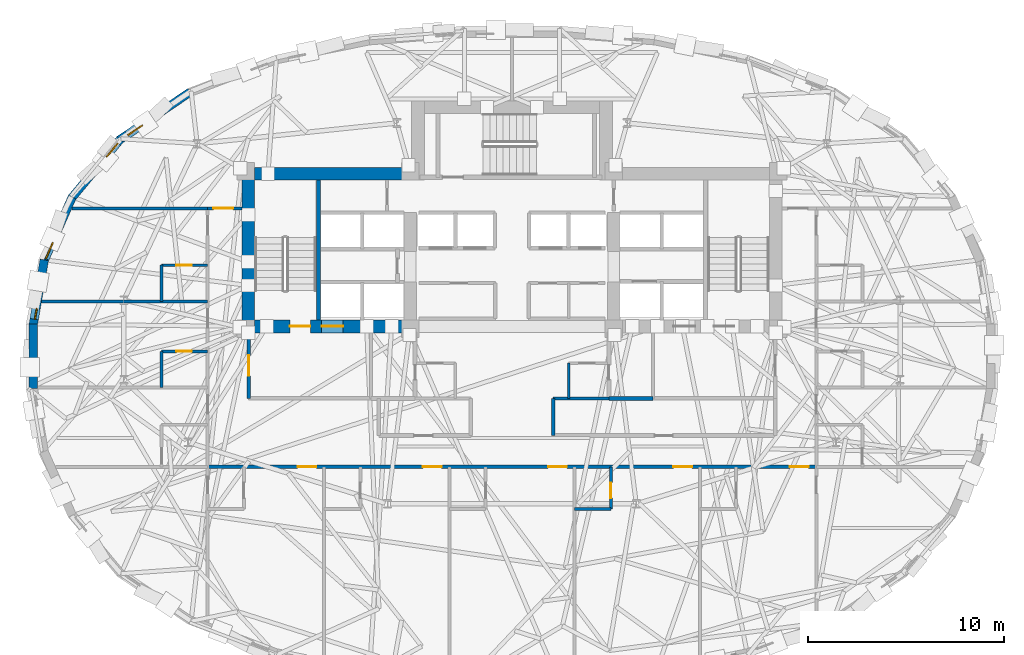
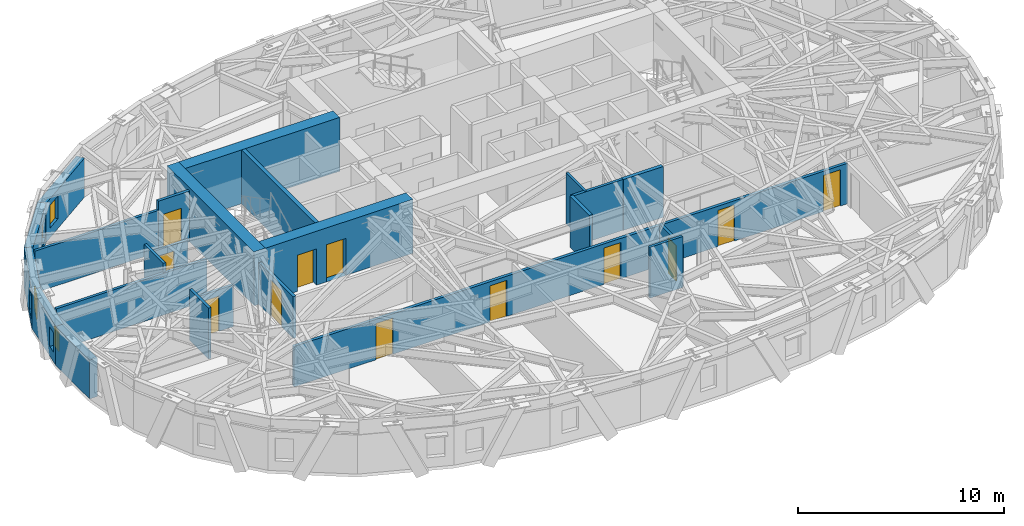
# One storey, part 7 of 15: 24 walls, 12 doors, 4 windows, 16 openings.
"""IFC4 building model written with IfcOpenShell, lengths in metres."""

from ifc_helpers import new_model, si_unit, direction, frame, frame_2d, origin, place, context, subcontext, project, spatial, rectangle, extrude, material, layer, layer_set, type_object, element, fill, save


model = new_model("IFC4")

# Units and contexts
model_context = context("Model", 3, precision=1e-05, world=origin(), true_north=direction((0.0, 1.0)))
body_context = subcontext(model_context, "Body", "Model", "MODEL_VIEW")
ifc_project = project(units=[si_unit("LENGTHUNIT", "METRE"), si_unit("AREAUNIT", "SQUARE_METRE"), si_unit("VOLUMEUNIT", "CUBIC_METRE"), si_unit("PLANEANGLEUNIT", "RADIAN"), si_unit("MASSUNIT", "GRAM", prefix="KILO")], contexts=[model_context])

# Site, building, storey
site_placement = place(None, origin())
site = spatial("IfcSite", under=ifc_project, at=site_placement, CompositionType="ELEMENT")
building_placement = place(site_placement, origin())
building = spatial("IfcBuilding", under=site, at=building_placement, Name="Keldmark Tower", CompositionType="ELEMENT")
storey_placement = place(building_placement, frame((0.0, 0.0, 150.199951171875)))
storey = spatial("IfcBuildingStorey", under=building, at=storey_placement, Name="L40", CompositionType="ELEMENT", Elevation=150.199951171875)

# Walls
ifc_material_1 = material(Name="Heavy Acoustic Plumbing Chase Gypsum Assembly", Category="gypsum")
ifc_layer_1 = layer(ifc_material_1, 0.18994140625)
ifc_layer_set_1 = layer_set([ifc_layer_1], Name="Heavy Acoustic Plumbing Chase Gypsum Assembly")
wall_type_1 = type_object("IfcWallType", Name="Heavy Wet Wall 190 mm", PredefinedType="PLUMBINGWALL", material=ifc_layer_set_1)
wall_1_placement = place(storey_placement, frame((2.10009765625, -4.050048828125, 0.0), z_axis=(0.0, 0.0, 1.0), x_axis=(0.0, 1.0, 0.0)))
element("IfcWall", 1, at=wall_1_placement, inside=storey, type_object=wall_type_1, Name="L40 Heavy Wet Wall 190 mm SPK-E-W", PredefinedType="PLUMBINGWALL", context=body_context, shape_type="SweptSolid", body=[
    extrude(rectangle(XDim=1.900146484375, YDim=0.18994140625, at=frame_2d((0.9501953125, 0.0))), origin(), (0.0, 0.0, 1.0), 3.02001953125),
])
ifc_material_2 = material(Name="Acoustic Gypsum Board Interior Partition", Category="gypsum")
ifc_layer_2 = layer(ifc_material_2, 0.1298828125)
ifc_layer_set_2 = layer_set([ifc_layer_2], Name="Acoustic Gypsum Board Interior Partition")
wall_type_2 = type_object("IfcWallType", Name="Interior Partition 130 mm", PredefinedType="PARTITIONING", material=ifc_layer_set_2)
wall_2_placement = place(storey_placement, frame((2.889892578125, -2.14990234375, 0.0), z_axis=(0.0, 0.0, 1.0), x_axis=(0.0, 1.0, 0.0)))
element("IfcWall", 2, at=wall_2_placement, inside=storey, type_object=wall_type_2, Name="L40 Interior Partition 130 mm CSC-E-W", PredefinedType="PARTITIONING", context=body_context, shape_type="SweptSolid", body=[
    extrude(rectangle(XDim=1.7998046875, YDim=0.1298828125, at=frame_2d((0.89990234375, 0.0))), origin(), (0.0, 0.0, 1.0), 3.02001953125),
])

# Wall, opening, door
ifc_material_3 = material(Name="Type X Fire-Rated Gypsum Partition Assembly", Category="gypsum")
ifc_layer_3 = layer(ifc_material_3, 0.1650390625)
ifc_layer_set_3 = layer_set([ifc_layer_3], Name="Type X Fire-Rated Gypsum Partition Assembly")
wall_type_3 = type_object("IfcWallType", Name="Rated Partition 165 mm", PredefinedType="PARTITIONING", material=ifc_layer_set_3)
wall_3_placement = place(storey_placement, frame((-13.449951171875, -2.14990234375, 0.0), z_axis=(0.0, 0.0, 1.0), x_axis=(0.0, 1.0, 0.0)))
wall_3 = element("IfcWall", 3, at=wall_3_placement, inside=storey, type_object=wall_type_3, Name="L40 Rated Partition 165 mm FSAE-W-W", PredefinedType="PARTITIONING", context=body_context, shape_type="SweptSolid", body=[
    extrude(rectangle(XDim=3.39990234375, YDim=0.1650390625, at=frame_2d((1.699951171875, 0.0))), origin(), (0.0, 0.0, 1.0), 2.47314453125),
])
opening_1_placement = place(wall_3_placement, frame((1.14990234375, 0.0, 0.0)))
opening_1 = element("IfcOpeningElement", 4, at=opening_1_placement, cuts=wall_3, Name="Opening D-FL105", PredefinedType="OPENING", context=body_context, shape_type="SweptSolid", body=[
    extrude(rectangle(XDim=1.050048828125, YDim=2.14990234375, at=frame_2d((0.52490234375, 1.074951171875))), frame((0.0, 0.092529296875, 0.0), z_axis=(0.0, -1.0, 0.0), x_axis=(1.0, 0.0, 0.0)), (0.0, 0.0, 1.0), 0.18505859375),
])
ifc_material_4 = material(Name="Fire-Rated Mineral-Core Door and Vision Lite", Category="metal")
door_type_1 = type_object("IfcDoorType", Name="Fire Lobby Door 1050x2150", OperationType="NOTDEFINED", PredefinedType="DOOR", material=ifc_material_4)
door_1_placement = place(opening_1_placement, origin())
door_1 = element("IfcDoor", 5, at=door_1_placement, inside=storey, type_object=door_type_1, Name="L40 Fire Lobby Door 1050x2150 D-FSAEW-OUT-L40", OperationType="SINGLE_SWING_LEFT", OverallHeight=2.14990234375, OverallWidth=1.050048828125, PredefinedType="DOOR", context=body_context, shape_type="SweptSolid", body=[
    extrude(rectangle(XDim=1.050048828125, YDim=2.14990234375, at=frame_2d((0.52490234375, 1.074951171875))), frame((0.0, 0.02490234375, 0.0), z_axis=(0.0, -1.0, 0.0), x_axis=(1.0, 0.0, 0.0)), (0.0, 0.0, 1.0), 0.050048828125),
])
fill(opening_1, door_1)

# Wall, openings, doors
wall_4_placement = place(storey_placement, frame((-15.550048828125, -5.64990234375, 0.0), z_axis=(0.0, 0.0, 1.0), x_axis=(1.0, 0.0, 0.0)))
wall_4 = element("IfcWall", 6, at=wall_4_placement, inside=storey, type_object=wall_type_3, Name="L40 Rated Partition 165 mm HCOR-S", PredefinedType="PARTITIONING", context=body_context, shape_type="SweptSolid", body=[
    extrude(rectangle(XDim=31.10009765625, YDim=0.1650390625, at=frame_2d((15.550048828125, 0.0))), origin(), (0.0, 0.0, 1.0), 2.39794921875),
])
opening_2_placement = place(wall_4_placement, frame((4.60009765625, 0.0, 0.0)))
opening_2 = element("IfcOpeningElement", 7, at=opening_2_placement, cuts=wall_4, Name="Opening D-HT095", PredefinedType="OPENING", context=body_context, shape_type="SweptSolid", body=[
    extrude(rectangle(XDim=0.949951171875, YDim=2.14990234375, at=frame_2d((0.47509765625, 1.074951171875))), frame((0.0, 0.092529296875, 0.0), z_axis=(0.0, -1.0, 0.0), x_axis=(1.0, 0.0, 0.0)), (0.0, 0.0, 1.0), 0.18505859375),
])
opening_3_placement = place(wall_4_placement, frame((11.0, 0.0, 0.0)))
opening_3 = element("IfcOpeningElement", 8, at=opening_3_placement, cuts=wall_4, Name="Opening D-HT095", PredefinedType="OPENING", context=body_context, shape_type="SweptSolid", body=[
    extrude(rectangle(XDim=0.949951171875, YDim=2.14990234375, at=frame_2d((0.47509765625, 1.074951171875))), frame((0.0, 0.092529296875, 0.0), z_axis=(0.0, -1.0, 0.0), x_axis=(1.0, 0.0, 0.0)), (0.0, 0.0, 1.0), 0.18505859375),
])
opening_4_placement = place(wall_4_placement, frame((17.39990234375, 0.0, 0.0)))
opening_4 = element("IfcOpeningElement", 9, at=opening_4_placement, cuts=wall_4, Name="Opening D-HT095", PredefinedType="OPENING", context=body_context, shape_type="SweptSolid", body=[
    extrude(rectangle(XDim=0.949951171875, YDim=2.14990234375, at=frame_2d((0.47509765625, 1.074951171875))), frame((0.0, 0.092529296875, 0.0), z_axis=(0.0, -1.0, 0.0), x_axis=(1.0, 0.0, 0.0)), (0.0, 0.0, 1.0), 0.18505859375),
])
opening_5_placement = place(wall_4_placement, frame((23.800048828125, 0.0, 0.0)))
opening_5 = element("IfcOpeningElement", 10, at=opening_5_placement, cuts=wall_4, Name="Opening D-HT095", PredefinedType="OPENING", context=body_context, shape_type="SweptSolid", body=[
    extrude(rectangle(XDim=0.949951171875, YDim=2.14990234375, at=frame_2d((0.47509765625, 1.074951171875))), frame((0.0, 0.092529296875, 0.0), z_axis=(0.0, -1.0, 0.0), x_axis=(1.0, 0.0, 0.0)), (0.0, 0.0, 1.0), 0.18505859375),
])
opening_6_placement = place(wall_4_placement, frame((29.75, 0.0, 0.0)))
opening_6 = element("IfcOpeningElement", 11, at=opening_6_placement, cuts=wall_4, Name="Opening D-HT095", PredefinedType="OPENING", context=body_context, shape_type="SweptSolid", body=[
    extrude(rectangle(XDim=0.949951171875, YDim=2.14990234375, at=frame_2d((0.47509765625, 1.074951171875))), frame((0.0, 0.092529296875, 0.0), z_axis=(0.0, -1.0, 0.0), x_axis=(1.0, 0.0, 0.0)), (0.0, 0.0, 1.0), 0.18505859375),
])
ifc_material_5 = material(Name="Solid-Core Acoustic White Oak Fire-Rated Assembly", Category="wood")
door_type_2 = type_object("IfcDoorType", Name="Hotel Entry Door 950x2150", OperationType="NOTDEFINED", PredefinedType="DOOR", material=ifc_material_5)
door_2_placement = place(opening_2_placement, origin())
door_2 = element("IfcDoor", 12, at=door_2_placement, inside=storey, type_object=door_type_2, Name="L40 Hotel Entry Door 950x2150 D-HRS1-L40", OperationType="SINGLE_SWING_RIGHT", OverallHeight=2.14990234375, OverallWidth=0.949951171875, PredefinedType="DOOR", context=body_context, shape_type="SweptSolid", body=[
    extrude(rectangle(XDim=0.949951171875, YDim=2.14990234375, at=frame_2d((0.47509765625, 1.074951171875))), frame((0.0, 0.02490234375, 0.0), z_axis=(0.0, -1.0, 0.0), x_axis=(1.0, 0.0, 0.0)), (0.0, 0.0, 1.0), 0.050048828125),
])
fill(opening_2, door_2)
door_3_placement = place(opening_3_placement, origin())
door_3 = element("IfcDoor", 13, at=door_3_placement, inside=storey, type_object=door_type_2, Name="L40 Hotel Entry Door 950x2150 D-HRS2-L40", OperationType="SINGLE_SWING_LEFT", OverallHeight=2.14990234375, OverallWidth=0.949951171875, PredefinedType="DOOR", context=body_context, shape_type="SweptSolid", body=[
    extrude(rectangle(XDim=0.949951171875, YDim=2.14990234375, at=frame_2d((0.47509765625, 1.074951171875))), frame((0.0, 0.02490234375, 0.0), z_axis=(0.0, -1.0, 0.0), x_axis=(1.0, 0.0, 0.0)), (0.0, 0.0, 1.0), 0.050048828125),
])
fill(opening_3, door_3)
door_4_placement = place(opening_4_placement, origin())
door_4 = element("IfcDoor", 14, at=door_4_placement, inside=storey, type_object=door_type_2, Name="L40 Hotel Entry Door 950x2150 D-HRS3-L40", OperationType="SINGLE_SWING_RIGHT", OverallHeight=2.14990234375, OverallWidth=0.949951171875, PredefinedType="DOOR", context=body_context, shape_type="SweptSolid", body=[
    extrude(rectangle(XDim=0.949951171875, YDim=2.14990234375, at=frame_2d((0.47509765625, 1.074951171875))), frame((0.0, 0.02490234375, 0.0), z_axis=(0.0, -1.0, 0.0), x_axis=(1.0, 0.0, 0.0)), (0.0, 0.0, 1.0), 0.050048828125),
])
fill(opening_4, door_4)
door_5_placement = place(opening_5_placement, origin())
door_5 = element("IfcDoor", 15, at=door_5_placement, inside=storey, type_object=door_type_2, Name="L40 Hotel Entry Door 950x2150 D-HRS4-L40", OperationType="SINGLE_SWING_LEFT", OverallHeight=2.14990234375, OverallWidth=0.949951171875, PredefinedType="DOOR", context=body_context, shape_type="SweptSolid", body=[
    extrude(rectangle(XDim=0.949951171875, YDim=2.14990234375, at=frame_2d((0.47509765625, 1.074951171875))), frame((0.0, 0.02490234375, 0.0), z_axis=(0.0, -1.0, 0.0), x_axis=(1.0, 0.0, 0.0)), (0.0, 0.0, 1.0), 0.050048828125),
])
fill(opening_5, door_5)
door_6_placement = place(opening_6_placement, origin())
door_6 = element("IfcDoor", 16, at=door_6_placement, inside=storey, type_object=door_type_2, Name="L40 Hotel Entry Door 950x2150 D-HRS5-L40", OperationType="SINGLE_SWING_RIGHT", OverallHeight=2.14990234375, OverallWidth=0.949951171875, PredefinedType="DOOR", context=body_context, shape_type="SweptSolid", body=[
    extrude(rectangle(XDim=0.949951171875, YDim=2.14990234375, at=frame_2d((0.47509765625, 1.074951171875))), frame((0.0, 0.02490234375, 0.0), z_axis=(0.0, -1.0, 0.0), x_axis=(1.0, 0.0, 0.0)), (0.0, 0.0, 1.0), 0.050048828125),
])
fill(opening_6, door_6)

# Wall, opening, door
wall_5_placement = place(storey_placement, frame((-15.550048828125, 7.550048828125, 0.0), z_axis=(0.0, 0.0, 1.0), x_axis=(1.0, 0.0, 0.0)))
wall_5 = element("IfcWall", 17, at=wall_5_placement, inside=storey, type_object=wall_type_3, Name="L40 Rated Partition 165 mm HCOR-WN", PredefinedType="PARTITIONING", context=body_context, shape_type="SweptSolid", body=[
    extrude(rectangle(XDim=1.75, YDim=0.1650390625, at=frame_2d((0.875, 0.0))), origin(), (0.0, 0.0, 1.0), 3.02001953125),
])
opening_7_placement = place(wall_5_placement, frame((0.300048828125, 0.0, 0.0)))
opening_7 = element("IfcOpeningElement", 18, at=opening_7_placement, cuts=wall_5, Name="Opening D-FD100", PredefinedType="OPENING", context=body_context, shape_type="SweptSolid", body=[
    extrude(rectangle(XDim=1.0, YDim=2.14990234375, at=frame_2d((0.5, 1.074951171875))), frame((0.0, 0.092529296875, 0.0), z_axis=(0.0, -1.0, 0.0), x_axis=(1.0, 0.0, 0.0)), (0.0, 0.0, 1.0), 0.18505859375),
])
ifc_material_6 = material(Name="Hollow Metal Fire-Rated Corridor Door", Category="metal")
door_type_3 = type_object("IfcDoorType", Name="Fire Door 1000x2150", OperationType="NOTDEFINED", PredefinedType="DOOR", material=ifc_material_6)
door_7_placement = place(opening_7_placement, origin())
door_7 = element("IfcDoor", 19, at=door_7_placement, inside=storey, type_object=door_type_3, Name="L40 Fire Door 1000x2150 D-HNNW-L40", OperationType="SINGLE_SWING_LEFT", OverallHeight=2.14990234375, OverallWidth=1.0, PredefinedType="DOOR", context=body_context, shape_type="SweptSolid", body=[
    extrude(rectangle(XDim=1.0, YDim=2.14990234375, at=frame_2d((0.5, 1.074951171875))), frame((0.0, 0.02490234375, 0.0), z_axis=(0.0, -1.0, 0.0), x_axis=(1.0, 0.0, 0.0)), (0.0, 0.0, 1.0), 0.050048828125),
])
fill(opening_7, door_7)

# Walls
ifc_material_7 = material(Name="Fire-Resistant Type X Gypsum Shaftliner Coreboard", Category="gypsum")
ifc_layer_4 = layer(ifc_material_7, 0.199951171875)
ifc_layer_set_4 = layer_set([ifc_layer_4], Name="Fire-Resistant Type X Gypsum Shaftliner Coreboard")
wall_type_4 = type_object("IfcWallType", Name="Shaft Wall 200 mm", PredefinedType="SOLIDWALL", material=ifc_layer_set_4)
wall_6_placement = place(storey_placement, frame((4.949951171875, -2.14990234375, 0.0), z_axis=(0.0, 0.0, 1.0), x_axis=(1.0, 0.0, 0.0)))
element("IfcWall", 20, at=wall_6_placement, inside=storey, type_object=wall_type_4, Name="L40 Shaft Wall 200 mm RIS-SE-S", PredefinedType="SOLIDWALL", context=body_context, shape_type="SweptSolid", body=[
    extrude(rectangle(XDim=2.25, YDim=0.199951171875, at=frame_2d((1.125, 0.0))), origin(), (0.0, 0.0, 1.0), 3.02001953125),
])
ifc_material_8 = material(Name="Concrete C50/60", Category="concrete")
ifc_layer_5 = layer(ifc_material_8, 0.219970703125)
ifc_layer_set_5 = layer_set([ifc_layer_5], Name="Concrete C50/60")
wall_type_5 = type_object("IfcWallType", Name="Stair Core Shear Wall 220 mm", PredefinedType="SHEAR", material=ifc_layer_set_5)
wall_7_placement = place(storey_placement, frame((-9.889892578125, 1.85009765625, 0.0), z_axis=(0.0, 0.0, 1.0), x_axis=(0.0, 1.0, 0.0)))
element("IfcWall", 21, at=wall_7_placement, inside=storey, type_object=wall_type_5, Name="L40 West Stair Core Shear Wall", PredefinedType="SHEAR", context=body_context, shape_type="SweptSolid", body=[
    extrude(rectangle(XDim=7.14990234375, YDim=0.219970703125, at=frame_2d((3.574951171875, 0.0))), origin(), (0.0, 0.0, 1.0), 3.199951171875),
])

# Wall, opening, window
ifc_material_9 = material(Name="Ironspot Manganese Brick and Kasota Buff Limestone Spandrel Assembly", Category="masonry")
ifc_layer_6 = layer(ifc_material_9, 0.43994140625)
ifc_layer_set_6 = layer_set([ifc_layer_6], Name="Ironspot Manganese Brick and Kasota Buff Limestone Spandrel Assembly")
wall_type_6 = type_object("IfcWallType", Name="Tower Brick Pier and Spandrel Wall 440 mm", PredefinedType="STANDARD", material=ifc_layer_set_6)
wall_8_placement = place(storey_placement, frame((-20.06005859375, 11.045654296875, 0.0), z_axis=(0.0, 0.0, 1.0), x_axis=(0.827782339513, 0.561049372507, 0.0)))
wall_8 = element("IfcWall", 22, at=wall_8_placement, inside=storey, type_object=wall_type_6, Name="L40 Exterior Brick and Spandrel Wall 12", PredefinedType="STANDARD", context=body_context, shape_type="SweptSolid", body=[
    extrude(rectangle(XDim=4.372314453125, YDim=0.43994140625, at=frame_2d((2.18603515625, 0.0))), origin(), (0.0, 0.0, 1.0), 2.31494140625),
])
opening_8_placement = place(wall_8_placement, frame((0.497314453125, 0.0, 0.580078125)))
opening_8 = element("IfcOpeningElement", 23, at=opening_8_placement, cuts=wall_8, Name="Opening W-09", PredefinedType="OPENING", context=body_context, shape_type="SweptSolid", body=[
    extrude(rectangle(XDim=0.89990234375, YDim=1.35009765625, at=frame_2d((0.449951171875, 0.675048828125))), frame((0.0, 0.22998046875, 0.0), z_axis=(0.0, -1.0, 0.0), x_axis=(1.0, 0.0, 0.0)), (0.0, 0.0, 1.0), 0.4599609375),
])
ifc_material_10 = material(Name="Thermally Broken Anodized Aluminum and Triple Low-E Argon Glazing", Category="aluminium")
window_type_1 = type_object("IfcWindowType", Name="Corner Pier Deep-Set Window 900x1350", PartitioningType="SINGLE_PANEL", PredefinedType="WINDOW", material=ifc_material_10)
window_1_placement = place(opening_8_placement, origin())
window_1 = element("IfcWindow", 24, at=window_1_placement, inside=storey, type_object=window_type_1, Name="L40 Deep-Set Window 12", OverallHeight=1.35009765625, OverallWidth=0.89990234375, PartitioningType="SINGLE_PANEL", PredefinedType="WINDOW", context=body_context, shape_type="SweptSolid", body=[
    extrude(rectangle(XDim=0.89990234375, YDim=1.35009765625, at=frame_2d((0.449951171875, 0.675048828125))), frame((0.0, -0.010009765625, 0.0), z_axis=(0.0, -1.0, 0.0), x_axis=(1.0, 0.0, 0.0)), (0.0, 0.0, 1.0), 0.06005859375),
])
fill(opening_8, window_1)

wall_9_placement = place(storey_placement, frame((-22.503662109375, 8.07470703125, 0.0), z_axis=(0.0, 0.0, 1.0), x_axis=(0.637002505989, 0.77086173038, 0.0)))
wall_9 = element("IfcWall", 25, at=wall_9_placement, inside=storey, type_object=wall_type_6, Name="L40 Exterior Brick and Spandrel Wall 13", PredefinedType="STANDARD", context=body_context, shape_type="SweptSolid", body=[
    extrude(rectangle(XDim=3.908447265625, YDim=0.43994140625, at=frame_2d((1.9541015625, 0.0))), origin(), (0.0, 0.0, 1.0), 2.31494140625),
])
opening_9_placement = place(wall_9_placement, frame((2.759521484375, 0.0, 0.419921875)))
opening_9 = element("IfcOpeningElement", 26, at=opening_9_placement, cuts=wall_9, Name="Opening W-09", PredefinedType="OPENING", context=body_context, shape_type="SweptSolid", body=[
    extrude(rectangle(XDim=0.89990234375, YDim=1.35009765625, at=frame_2d((0.449951171875, 0.675048828125))), frame((0.0, 0.22998046875, 0.0), z_axis=(0.0, -1.0, 0.0), x_axis=(1.0, 0.0, 0.0)), (0.0, 0.0, 1.0), 0.4599609375),
])
window_2_placement = place(opening_9_placement, origin())
window_2 = element("IfcWindow", 27, at=window_2_placement, inside=storey, type_object=window_type_1, Name="L40 Deep-Set Window 13", OverallHeight=1.35009765625, OverallWidth=0.89990234375, PartitioningType="SINGLE_PANEL", PredefinedType="WINDOW", context=body_context, shape_type="SweptSolid", body=[
    extrude(rectangle(XDim=0.89990234375, YDim=1.35009765625, at=frame_2d((0.449951171875, 0.675048828125))), frame((0.0, -0.010009765625, 0.0), z_axis=(0.0, -1.0, 0.0), x_axis=(1.0, 0.0, 0.0)), (0.0, 0.0, 1.0), 0.06005859375),
])
fill(opening_9, window_2)

wall_10_placement = place(storey_placement, frame((-23.91064453125, 4.868896484375, 0.0), z_axis=(0.0, 0.0, 1.0), x_axis=(0.403999745193, 0.914759097186, 0.0)))
wall_10 = element("IfcWall", 28, at=wall_10_placement, inside=storey, type_object=wall_type_6, Name="L40 Exterior Brick and Spandrel Wall 14", PredefinedType="STANDARD", context=body_context, shape_type="SweptSolid", body=[
    extrude(rectangle(XDim=3.560546875, YDim=0.43994140625, at=frame_2d((1.7802734375, 0.0))), origin(), (0.0, 0.0, 1.0), 2.31494140625),
])
opening_10_placement = place(wall_10_placement, frame((0.139892578125, 0.0, 0.419921875)))
opening_10 = element("IfcOpeningElement", 29, at=opening_10_placement, cuts=wall_10, Name="Opening W-09", PredefinedType="OPENING", context=body_context, shape_type="SweptSolid", body=[
    extrude(rectangle(XDim=0.89990234375, YDim=1.35009765625, at=frame_2d((0.449951171875, 0.675048828125))), frame((0.0, 0.22998046875, 0.0), z_axis=(0.0, -1.0, 0.0), x_axis=(1.0, 0.0, 0.0)), (0.0, 0.0, 1.0), 0.4599609375),
])
window_3_placement = place(opening_10_placement, origin())
window_3 = element("IfcWindow", 30, at=window_3_placement, inside=storey, type_object=window_type_1, Name="L40 Pier Window RM03", OverallHeight=1.35009765625, OverallWidth=0.89990234375, PartitioningType="SINGLE_PANEL", PredefinedType="WINDOW", context=body_context, shape_type="SweptSolid", body=[
    extrude(rectangle(XDim=0.89990234375, YDim=1.35009765625, at=frame_2d((0.449951171875, 0.675048828125))), frame((0.0, -0.010009765625, 0.0), z_axis=(0.0, -1.0, 0.0), x_axis=(1.0, 0.0, 0.0)), (0.0, 0.0, 1.0), 0.06005859375),
])
fill(opening_10, window_3)

wall_11_placement = place(storey_placement, frame((-24.45947265625, 1.6103515625, 0.0), z_axis=(0.0, 0.0, 1.0), x_axis=(0.168075929829, 0.985774052109, 0.0)))
wall_11 = element("IfcWall", 31, at=wall_11_placement, inside=storey, type_object=wall_type_6, Name="L40 Exterior Brick and Spandrel Wall 15", PredefinedType="STANDARD", context=body_context, shape_type="SweptSolid", body=[
    extrude(rectangle(XDim=3.3583984375, YDim=0.43994140625, at=frame_2d((1.67919921875, 0.0))), origin(), (0.0, 0.0, 1.0), 2.31494140625),
])
opening_11_placement = place(wall_11_placement, frame((0.2880859375, 0.0, 0.580078125)))
opening_11 = element("IfcOpeningElement", 32, at=opening_11_placement, cuts=wall_11, Name="Opening W-10", PredefinedType="OPENING", context=body_context, shape_type="SweptSolid", body=[
    extrude(rectangle(XDim=0.56005859375, YDim=1.14990234375, at=frame_2d((0.280029296875, 0.574951171875))), frame((0.0, 0.22998046875, 0.0), z_axis=(0.0, -1.0, 0.0), x_axis=(1.0, 0.0, 0.0)), (0.0, 0.0, 1.0), 0.4599609375),
])
ifc_material_11 = material(Name="Thermally Broken Anodized Aluminum and Triple Low-E Argon Glazing", Category="aluminium")
window_type_2 = type_object("IfcWindowType", Name="Narrow Pier Lancet Window 560x1150", PartitioningType="SINGLE_PANEL", PredefinedType="WINDOW", material=ifc_material_11)
window_4_placement = place(opening_11_placement, origin())
window_4 = element("IfcWindow", 33, at=window_4_placement, inside=storey, type_object=window_type_2, Name="L40 Pier Window RM02", OverallHeight=1.14990234375, OverallWidth=0.56005859375, PartitioningType="SINGLE_PANEL", PredefinedType="WINDOW", context=body_context, shape_type="SweptSolid", body=[
    extrude(rectangle(XDim=0.56005859375, YDim=1.14990234375, at=frame_2d((0.280029296875, 0.574951171875))), frame((0.0, -0.010009765625, 0.0), z_axis=(0.0, -1.0, 0.0), x_axis=(1.0, 0.0, 0.0)), (0.0, 0.0, 1.0), 0.06005859375),
])
fill(opening_11, window_4)

# Walls
wall_12_placement = place(storey_placement, frame((-24.456298828125, -1.6474609375, 0.0), z_axis=(0.0, 0.0, 1.0), x_axis=(0.0, 1.0, 0.0)))
element("IfcWall", 34, at=wall_12_placement, inside=storey, type_object=wall_type_6, Name="L40 Exterior Brick and Spandrel Wall 16", PredefinedType="STANDARD", context=body_context, shape_type="SweptSolid", body=[
    extrude(rectangle(XDim=3.294921875, YDim=0.43994140625, at=frame_2d((1.6474609375, 0.0))), origin(), (0.0, 0.0, 1.0), 2.31494140625),
])
ifc_material_12 = material(Name="Concrete C50/60", Category="concrete")
ifc_layer_7 = layer(ifc_material_12, 0.64990234375)
ifc_layer_set_7 = layer_set([ifc_layer_7], Name="Concrete C50/60")
wall_type_7 = type_object("IfcWallType", Name="Upper-Mid Core Shear Wall 650 mm", PredefinedType="SHEAR", material=ifc_layer_set_7)
wall_13_placement = place(storey_placement, frame((-13.47509765625, 1.199951171875, 0.0), z_axis=(0.0, 0.0, 1.0), x_axis=(0.0, 1.0, 0.0)))
element("IfcWall", 35, at=wall_13_placement, inside=storey, type_object=wall_type_7, Name="L40 West Core Outer Shear Wall", PredefinedType="SHEAR", context=body_context, shape_type="SweptSolid", body=[
    extrude(rectangle(XDim=8.449951171875, YDim=0.64990234375, at=frame_2d((4.22509765625, 0.0))), origin(), (0.0, 0.0, 1.0), 3.199951171875),
])
wall_14_placement = place(storey_placement, frame((-13.800048828125, 9.324951171875, 0.0), z_axis=(0.0, 0.0, 1.0), x_axis=(1.0, 0.0, 0.0)))
element("IfcWall", 36, at=wall_14_placement, inside=storey, type_object=wall_type_7, Name="L40 West Core North Shear Wall", PredefinedType="SHEAR", context=body_context, shape_type="SweptSolid", body=[
    extrude(rectangle(XDim=9.324951171875, YDim=0.64990234375, at=frame_2d((4.66259765625, 0.0))), origin(), (0.0, 0.0, 1.0), 3.199951171875),
])

# Wall, openings, doors
wall_15_placement = place(storey_placement, frame((-4.875, 1.52490234375, 0.0), z_axis=(0.0, 0.0, 1.0), x_axis=(-1.0, 0.0, 0.0)))
wall_15 = element("IfcWall", 37, at=wall_15_placement, inside=storey, type_object=wall_type_7, Name="L40 West Core South Shear Wall", PredefinedType="SHEAR", context=body_context, shape_type="SweptSolid", body=[
    extrude(rectangle(XDim=8.925048828125, YDim=0.64990234375, at=frame_2d((4.46240234375, 0.0))), origin(), (0.0, 0.0, 1.0), 3.199951171875),
])
opening_12_placement = place(wall_15_placement, frame((5.425048828125, 0.0, 0.0)))
opening_12 = element("IfcOpeningElement", 38, at=opening_12_placement, cuts=wall_15, Name="Opening D-ST105", PredefinedType="OPENING", context=body_context, shape_type="SweptSolid", body=[
    extrude(rectangle(XDim=1.050048828125, YDim=2.14990234375, at=frame_2d((0.52490234375, 1.074951171875))), frame((0.0, 0.3349609375, 0.0), z_axis=(0.0, -1.0, 0.0), x_axis=(1.0, 0.0, 0.0)), (0.0, 0.0, 1.0), 0.669921875),
])
opening_13_placement = place(wall_15_placement, frame((3.7548828125, 0.0, 0.0)))
opening_13 = element("IfcOpeningElement", 39, at=opening_13_placement, cuts=wall_15, Name="Opening LD-110", PredefinedType="OPENING", context=body_context, shape_type="SweptSolid", body=[
    extrude(rectangle(XDim=1.10009765625, YDim=2.199951171875, at=frame_2d((0.550048828125, 1.10009765625))), frame((0.0, 0.3349609375, 0.0), z_axis=(0.0, -1.0, 0.0), x_axis=(1.0, 0.0, 0.0)), (0.0, 0.0, 1.0), 0.669921875),
])
ifc_material_13 = material(Name="Brushed Bronze Hoistway Sliding Leaf", Category="metal")
door_type_4 = type_object("IfcDoorType", Name="Lift Landing Sliding Door 1100x2200", OperationType="SLIDING_TO_LEFT", PredefinedType="DOOR", material=ifc_material_13)
door_8_placement = place(opening_13_placement, origin())
door_8 = element("IfcDoor", 40, at=door_8_placement, inside=storey, type_object=door_type_4, Name="L40 Lift Landing Sliding Door 1100x2200 LD-EL-FS1-L40", OperationType="SLIDING_TO_LEFT", OverallHeight=2.199951171875, OverallWidth=1.10009765625, PredefinedType="DOOR", context=body_context, shape_type="SweptSolid", body=[
    extrude(rectangle(XDim=1.10009765625, YDim=2.199951171875, at=frame_2d((0.550048828125, 1.10009765625))), frame((0.0, 0.02490234375, 0.0), z_axis=(0.0, -1.0, 0.0), x_axis=(1.0, 0.0, 0.0)), (0.0, 0.0, 1.0), 0.050048828125),
])
fill(opening_13, door_8)
ifc_material_14 = material(Name="Hollow Metal Fire-Rated Door Assembly", Category="metal")
door_type_5 = type_object("IfcDoorType", Name="Stair Fire Door 1050x2150", OperationType="NOTDEFINED", PredefinedType="DOOR", material=ifc_material_14)
door_9_placement = place(opening_12_placement, origin())
door_9 = element("IfcDoor", 41, at=door_9_placement, inside=storey, type_object=door_type_5, Name="L40 Stair Fire Door 1050x2150 D-ST1-L40", OperationType="SINGLE_SWING_RIGHT", OverallHeight=2.14990234375, OverallWidth=1.050048828125, PredefinedType="DOOR", context=body_context, shape_type="SweptSolid", body=[
    extrude(rectangle(XDim=1.050048828125, YDim=2.14990234375, at=frame_2d((0.52490234375, 1.074951171875))), frame((0.0, 0.02490234375, 0.0), z_axis=(0.0, -1.0, 0.0), x_axis=(1.0, 0.0, 0.0)), (0.0, 0.0, 1.0), 0.050048828125),
])
fill(opening_12, door_9)

# Walls
ifc_material_15 = material(Name="Moisture-Resistant Gypsum Plumbing Partition", Category="gypsum")
ifc_layer_8 = layer(ifc_material_15, 0.14990234375)
ifc_layer_set_8 = layer_set([ifc_layer_8], Name="Moisture-Resistant Gypsum Plumbing Partition")
wall_type_8 = type_object("IfcWallType", Name="Wet Wall 150 mm", PredefinedType="PLUMBINGWALL", material=ifc_layer_set_8)
wall_16_placement = place(storey_placement, frame((2.10009765625, -2.14990234375, 0.0), z_axis=(0.0, 0.0, 1.0), x_axis=(1.0, 0.0, 0.0)))
element("IfcWall", 42, at=wall_16_placement, inside=storey, type_object=wall_type_8, Name="L40 Wet Wall 150 mm SPK-E-N", PredefinedType="PLUMBINGWALL", context=body_context, shape_type="SweptSolid", body=[
    extrude(rectangle(XDim=2.849853515625, YDim=0.14990234375, at=frame_2d((1.4248046875, 0.0))), origin(), (0.0, 0.0, 1.0), 3.02001953125),
])
wall_17_placement = place(storey_placement, frame((-22.477294921875, 7.550048828125, 0.0), z_axis=(0.0, 0.0, 1.0), x_axis=(1.0, 0.0, 0.0)))
element("IfcWall", 43, at=wall_17_placement, inside=storey, type_object=wall_type_8, Name="L40 Wet Wall 150 mm HW-CAP-N", PredefinedType="PLUMBINGWALL", context=body_context, shape_type="SweptSolid", body=[
    extrude(rectangle(XDim=6.92724609375, YDim=0.14990234375, at=frame_2d((3.463623046875, 0.0))), origin(), (0.0, 0.0, 1.0), 2.47314453125),
])

# Wall, opening, door
wall_18_placement = place(storey_placement, frame((5.050048828125, -7.800048828125, 0.0), z_axis=(0.0, 0.0, 1.0), x_axis=(0.0, 1.0, 0.0)))
wall_18 = element("IfcWall", 44, at=wall_18_placement, inside=storey, type_object=wall_type_8, Name="L40 Wet Wall 150 mm HB-S4-E", PredefinedType="PLUMBINGWALL", context=body_context, shape_type="SweptSolid", body=[
    extrude(rectangle(XDim=2.150146484375, YDim=0.14990234375, at=frame_2d((1.0751953125, 0.0))), origin(), (0.0, 0.0, 1.0), 2.47314453125),
])
opening_14_placement = place(wall_18_placement, frame((0.550048828125, 0.0, 0.0)))
opening_14 = element("IfcOpeningElement", 45, at=opening_14_placement, cuts=wall_18, Name="Opening D-BT080", PredefinedType="OPENING", context=body_context, shape_type="SweptSolid", body=[
    extrude(rectangle(XDim=0.800048828125, YDim=2.10009765625, at=frame_2d((0.39990234375, 1.050048828125))), frame((0.0, 0.0849609375, 0.0), z_axis=(0.0, -1.0, 0.0), x_axis=(1.0, 0.0, 0.0)), (0.0, 0.0, 1.0), 0.169921875),
])
ifc_material_16 = material(Name="Moisture-Sealed Stained Wood", Category="wood")
door_type_6 = type_object("IfcDoorType", Name="Bathroom Door 800x2100", OperationType="NOTDEFINED", PredefinedType="DOOR", material=ifc_material_16)
door_10_placement = place(opening_14_placement, origin())
door_10 = element("IfcDoor", 46, at=door_10_placement, inside=storey, type_object=door_type_6, Name="L40 Bathroom Door 800x2100 D-HBS4-L40", OperationType="SINGLE_SWING_RIGHT", OverallHeight=2.10009765625, OverallWidth=0.800048828125, PredefinedType="DOOR", context=body_context, shape_type="SweptSolid", body=[
    extrude(rectangle(XDim=0.800048828125, YDim=2.10009765625, at=frame_2d((0.39990234375, 1.050048828125))), frame((0.0, 0.02490234375, 0.0), z_axis=(0.0, -1.0, 0.0), x_axis=(1.0, 0.0, 0.0)), (0.0, 0.0, 1.0), 0.050048828125),
])
fill(opening_14, door_10)

# Walls
wall_19_placement = place(storey_placement, frame((3.199951171875, -7.800048828125, 0.0), z_axis=(0.0, 0.0, 1.0), x_axis=(1.0, 0.0, 0.0)))
element("IfcWall", 47, at=wall_19_placement, inside=storey, type_object=wall_type_8, Name="L40 Wet Wall 150 mm HB-S4-S", PredefinedType="PLUMBINGWALL", context=body_context, shape_type="SweptSolid", body=[
    extrude(rectangle(XDim=1.85009765625, YDim=0.14990234375, at=frame_2d((0.925048828125, 0.0))), origin(), (0.0, 0.0, 1.0), 3.02001953125),
])
wall_20_placement = place(storey_placement, frame((-24.025390625, 2.800048828125, 0.0), z_axis=(0.0, 0.0, 1.0), x_axis=(1.0, 0.0, 0.0)))
element("IfcWall", 48, at=wall_20_placement, inside=storey, type_object=wall_type_8, Name="L40 Wet Wall 150 mm HW-DIV-2", PredefinedType="PLUMBINGWALL", context=body_context, shape_type="SweptSolid", body=[
    extrude(rectangle(XDim=8.475341796875, YDim=0.14990234375, at=frame_2d((4.23779296875, 0.0))), origin(), (0.0, 0.0, 1.0), 2.47314453125),
])

# Wall, opening, door
wall_21_placement = place(storey_placement, frame((-17.89990234375, 0.25, 0.0), z_axis=(0.0, 0.0, 1.0), x_axis=(1.0, 0.0, 0.0)))
wall_21 = element("IfcWall", 49, at=wall_21_placement, inside=storey, type_object=wall_type_8, Name="L40 Wet Wall 150 mm HB-7-N", PredefinedType="PLUMBINGWALL", context=body_context, shape_type="SweptSolid", body=[
    extrude(rectangle(XDim=2.349853515625, YDim=0.14990234375, at=frame_2d((1.1748046875, 0.0))), origin(), (0.0, 0.0, 1.0), 2.47314453125),
])
opening_15_placement = place(wall_21_placement, frame((0.75, 0.0, 0.0)))
opening_15 = element("IfcOpeningElement", 50, at=opening_15_placement, cuts=wall_21, Name="Opening D-BT080", PredefinedType="OPENING", context=body_context, shape_type="SweptSolid", body=[
    extrude(rectangle(XDim=0.800048828125, YDim=2.10009765625, at=frame_2d((0.39990234375, 1.050048828125))), frame((0.0, 0.0849609375, 0.0), z_axis=(0.0, -1.0, 0.0), x_axis=(1.0, 0.0, 0.0)), (0.0, 0.0, 1.0), 0.169921875),
])
door_11_placement = place(opening_15_placement, origin())
door_11 = element("IfcDoor", 51, at=door_11_placement, inside=storey, type_object=door_type_6, Name="L40 Bathroom Door 800x2100 D-HB-7-L40", OperationType="SINGLE_SWING_LEFT", OverallHeight=2.10009765625, OverallWidth=0.800048828125, PredefinedType="DOOR", context=body_context, shape_type="SweptSolid", body=[
    extrude(rectangle(XDim=0.800048828125, YDim=2.10009765625, at=frame_2d((0.39990234375, 1.050048828125))), frame((0.0, 0.02490234375, 0.0), z_axis=(0.0, -1.0, 0.0), x_axis=(1.0, 0.0, 0.0)), (0.0, 0.0, 1.0), 0.050048828125),
])
fill(opening_15, door_11)

# Wall
wall_22_placement = place(storey_placement, frame((-17.89990234375, -1.60009765625, 0.0), z_axis=(0.0, 0.0, 1.0), x_axis=(0.0, 1.0, 0.0)))
element("IfcWall", 52, at=wall_22_placement, inside=storey, type_object=wall_type_8, Name="L40 Wet Wall 150 mm HB-7-IN", PredefinedType="PLUMBINGWALL", context=body_context, shape_type="SweptSolid", body=[
    extrude(rectangle(XDim=1.85009765625, YDim=0.14990234375, at=frame_2d((0.925048828125, 0.0))), origin(), (0.0, 0.0, 1.0), 3.02001953125),
])

# Wall, opening, door
wall_23_placement = place(storey_placement, frame((-17.89990234375, 4.64990234375, 0.0), z_axis=(0.0, 0.0, 1.0), x_axis=(1.0, 0.0, 0.0)))
wall_23 = element("IfcWall", 53, at=wall_23_placement, inside=storey, type_object=wall_type_8, Name="L40 Wet Wall 150 mm HB-8-N", PredefinedType="PLUMBINGWALL", context=body_context, shape_type="SweptSolid", body=[
    extrude(rectangle(XDim=2.349853515625, YDim=0.14990234375, at=frame_2d((1.1748046875, 0.0))), origin(), (0.0, 0.0, 1.0), 2.47314453125),
])
opening_16_placement = place(wall_23_placement, frame((0.75, 0.0, 0.0)))
opening_16 = element("IfcOpeningElement", 54, at=opening_16_placement, cuts=wall_23, Name="Opening D-BT080", PredefinedType="OPENING", context=body_context, shape_type="SweptSolid", body=[
    extrude(rectangle(XDim=0.800048828125, YDim=2.10009765625, at=frame_2d((0.39990234375, 1.050048828125))), frame((0.0, 0.0849609375, 0.0), z_axis=(0.0, -1.0, 0.0), x_axis=(1.0, 0.0, 0.0)), (0.0, 0.0, 1.0), 0.169921875),
])
door_12_placement = place(opening_16_placement, origin())
door_12 = element("IfcDoor", 55, at=door_12_placement, inside=storey, type_object=door_type_6, Name="L40 Bathroom Door 800x2100 D-HB-8-L40", OperationType="SINGLE_SWING_LEFT", OverallHeight=2.10009765625, OverallWidth=0.800048828125, PredefinedType="DOOR", context=body_context, shape_type="SweptSolid", body=[
    extrude(rectangle(XDim=0.800048828125, YDim=2.10009765625, at=frame_2d((0.39990234375, 1.050048828125))), frame((0.0, 0.02490234375, 0.0), z_axis=(0.0, -1.0, 0.0), x_axis=(1.0, 0.0, 0.0)), (0.0, 0.0, 1.0), 0.050048828125),
])
fill(opening_16, door_12)

# Wall
wall_24_placement = place(storey_placement, frame((-17.89990234375, 2.800048828125, 0.0), z_axis=(0.0, 0.0, 1.0), x_axis=(0.0, 1.0, 0.0)))
element("IfcWall", 56, at=wall_24_placement, inside=storey, type_object=wall_type_8, Name="L40 Wet Wall 150 mm HB-8-IN", PredefinedType="PLUMBINGWALL", context=body_context, shape_type="SweptSolid", body=[
    extrude(rectangle(XDim=1.849853515625, YDim=0.14990234375, at=frame_2d((0.9248046875, 0.0))), origin(), (0.0, 0.0, 1.0), 3.02001953125),
])

save(model, "model.ifc")
